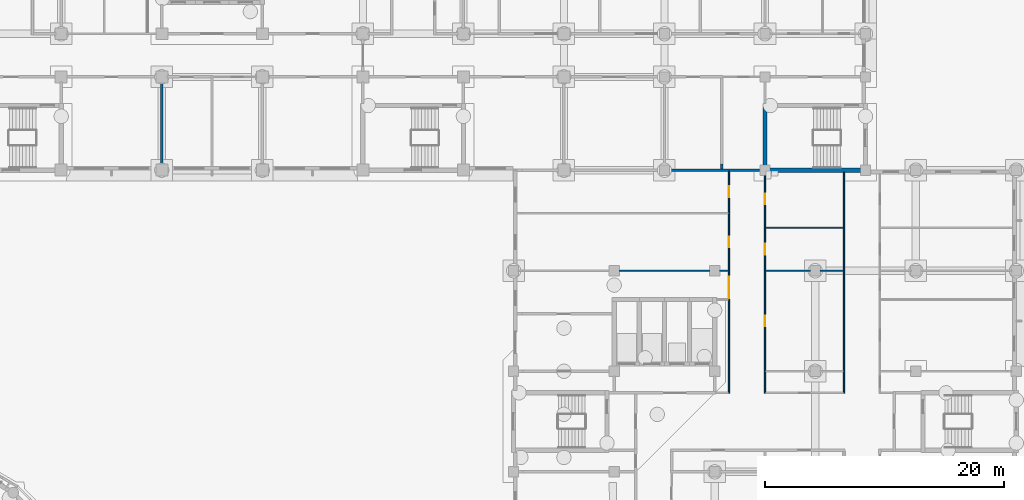
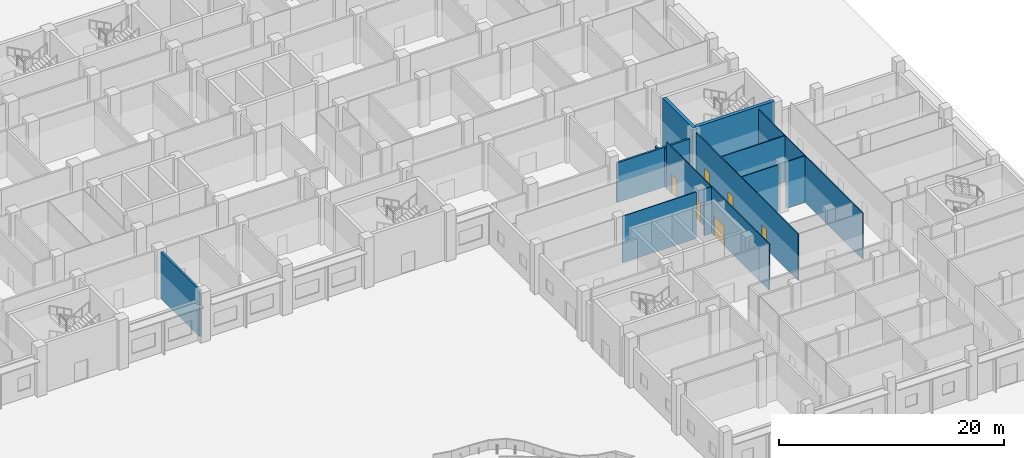
# One storey, part 84 of 146: 14 walls, 6 doors, 6 openings.
"""IFC4 building model written with IfcOpenShell, lengths in metres."""

from ifc_helpers import new_model, si_unit, direction, frame, frame_2d, origin, place, context, subcontext, project, spatial, rectangle, extrude, material, layer, layer_set, type_object, element, fill, save


model = new_model("IFC4")

# Units and contexts
model_context = context("Model", 3, precision=1e-05, world=origin(), true_north=direction((0.0, 1.0)))
body_context = subcontext(model_context, "Body", "Model", "MODEL_VIEW")
ifc_project = project(units=[si_unit("LENGTHUNIT", "METRE"), si_unit("AREAUNIT", "SQUARE_METRE"), si_unit("VOLUMEUNIT", "CUBIC_METRE"), si_unit("PLANEANGLEUNIT", "RADIAN"), si_unit("MASSUNIT", "GRAM", prefix="KILO")], contexts=[model_context])

# Site, building, storey
site_placement = place(None, origin())
site = spatial("IfcSite", under=ifc_project, at=site_placement, CompositionType="ELEMENT")
building_placement = place(site_placement, origin())
building = spatial("IfcBuilding", under=site, at=building_placement, Name="Bougainvillea Quay General Hospital", CompositionType="ELEMENT")
storey_placement = place(building_placement, origin())
storey = spatial("IfcBuildingStorey", under=building, at=storey_placement, Name="L00", CompositionType="ELEMENT", Elevation=0.0)

# Wall
ifc_material_1 = material(Name="Gypsum board partition on steel studs", Category="steel")
ifc_layer_1 = layer(ifc_material_1, 0.10009765625)
ifc_layer_set_1 = layer_set([ifc_layer_1], Name="Gypsum board partition on steel studs")
wall_type_1 = type_object("IfcWallType", Name="Partition 100 Gypsum board partition", PredefinedType="PARTITIONING", material=ifc_layer_set_1)
wall_1_placement = place(storey_placement, frame((181.800048828125, 117.5, 0.0), z_axis=(0.0, 0.0, 1.0), x_axis=(0.0, -1.0, 0.0)))
element("IfcWall", 1, at=wall_1_placement, inside=storey, type_object=wall_type_1, Name="Partition 100 mm", PredefinedType="PARTITIONING", context=body_context, shape_type="SweptSolid", body=[
    extrude(rectangle(XDim=0.35009765625, YDim=0.10009765625, at=frame_2d((0.175048828125, 0.0))), origin(), (0.0, 0.0, 1.0), 4.280029296875),
])

# Wall, openings, doors
wall_2_placement = place(storey_placement, frame((181.800048828125, 117.14990234375, 0.0), z_axis=(0.0, 0.0, 1.0), x_axis=(0.0, -1.0, 0.0)))
wall_2 = element("IfcWall", 2, at=wall_2_placement, inside=storey, type_object=wall_type_1, Name="Partition 100 mm", PredefinedType="PARTITIONING", context=body_context, shape_type="SweptSolid", body=[
    extrude(rectangle(XDim=18.199951171875, YDim=0.10009765625, at=frame_2d((9.10009765625, 0.0))), origin(), (0.0, 0.0, 1.0), 5.050048828125),
])
opening_1_placement = place(wall_2_placement, frame((8.450927734375, 0.0, 0.0)))
opening_1 = element("IfcOpeningElement", 3, at=opening_1_placement, cuts=wall_2, Name="Opening L00.115", PredefinedType="OPENING", context=body_context, shape_type="SweptSolid", body=[
    extrude(rectangle(XDim=1.800048828125, YDim=2.10009765625, at=frame_2d((0.89990234375, 1.050048828125))), frame((0.0, 0.06005859375, 0.0), z_axis=(0.0, -1.0, 0.0), x_axis=(1.0, 0.0, 0.0)), (0.0, 0.0, 1.0), 0.1201171875),
])
opening_2_placement = place(wall_2_placement, frame((5.10205078125, 0.0, 0.0)))
opening_2 = element("IfcOpeningElement", 4, at=opening_2_placement, cuts=wall_2, Name="Opening L00.116", PredefinedType="OPENING", context=body_context, shape_type="SweptSolid", body=[
    extrude(rectangle(XDim=0.89990234375, YDim=2.10009765625, at=frame_2d((0.449951171875, 1.050048828125))), frame((0.0, 0.06005859375, 0.0), z_axis=(0.0, -1.0, 0.0), x_axis=(1.0, 0.0, 0.0)), (0.0, 0.0, 1.0), 0.1201171875),
])
opening_3_placement = place(wall_2_placement, frame((0.90087890625, 0.0, 0.0)))
opening_3 = element("IfcOpeningElement", 5, at=opening_3_placement, cuts=wall_2, Name="Opening L00.117", PredefinedType="OPENING", context=body_context, shape_type="SweptSolid", body=[
    extrude(rectangle(XDim=0.89990234375, YDim=2.10009765625, at=frame_2d((0.449951171875, 1.050048828125))), frame((0.0, 0.06005859375, 0.0), z_axis=(0.0, -1.0, 0.0), x_axis=(1.0, 0.0, 0.0)), (0.0, 0.0, 1.0), 0.1201171875),
])
ifc_material_2 = material(Name="Solid-core timber door leaves in steel frame", Category="steel")
door_type_1 = type_object("IfcDoorType", Name="Double leaf door 1800x2100", OperationType="DOUBLE_DOOR_SINGLE_SWING", PredefinedType="DOOR", material=ifc_material_2)
door_1_placement = place(opening_1_placement, frame((1.800048828125, 0.0, 0.0), z_axis=(0.0, 0.0, 1.0), x_axis=(-1.0, 0.0, 0.0)))
door_1 = element("IfcDoor", 6, at=door_1_placement, inside=storey, type_object=door_type_1, Name="DT08 L00.115", OperationType="DOUBLE_DOOR_SINGLE_SWING", OverallHeight=2.10009765625, OverallWidth=1.800048828125, PredefinedType="DOOR", context=body_context, shape_type="SweptSolid", body=[
    extrude(rectangle(XDim=1.800048828125, YDim=2.10009765625, at=frame_2d((0.89990234375, 1.050048828125))), frame((0.0, 0.02490234375, 0.0), z_axis=(0.0, -1.0, 0.0), x_axis=(1.0, 0.0, 0.0)), (0.0, 0.0, 1.0), 0.050048828125),
])
fill(opening_1, door_1)
ifc_material_3 = material(Name="Solid-core timber door leaf in steel frame", Category="steel")
door_type_2 = type_object("IfcDoorType", Name="Single leaf door 900x2100", OperationType="NOTDEFINED", PredefinedType="DOOR", material=ifc_material_3)
door_2_placement = place(opening_2_placement, frame((0.89990234375, 0.0, 0.0), z_axis=(0.0, 0.0, 1.0), x_axis=(-1.0, 0.0, 0.0)))
door_2 = element("IfcDoor", 7, at=door_2_placement, inside=storey, type_object=door_type_2, Name="DT07 L00.116", OperationType="SINGLE_SWING_RIGHT", OverallHeight=2.10009765625, OverallWidth=0.89990234375, PredefinedType="DOOR", context=body_context, shape_type="SweptSolid", body=[
    extrude(rectangle(XDim=0.89990234375, YDim=2.10009765625, at=frame_2d((0.449951171875, 1.050048828125))), frame((0.0, 0.02490234375, 0.0), z_axis=(0.0, -1.0, 0.0), x_axis=(1.0, 0.0, 0.0)), (0.0, 0.0, 1.0), 0.050048828125),
])
fill(opening_2, door_2)
door_3_placement = place(opening_3_placement, frame((0.89990234375, 0.0, 0.0), z_axis=(0.0, 0.0, 1.0), x_axis=(-1.0, 0.0, 0.0)))
door_3 = element("IfcDoor", 8, at=door_3_placement, inside=storey, type_object=door_type_2, Name="DT07 L00.117", OperationType="SINGLE_SWING_RIGHT", OverallHeight=2.10009765625, OverallWidth=0.89990234375, PredefinedType="DOOR", context=body_context, shape_type="SweptSolid", body=[
    extrude(rectangle(XDim=0.89990234375, YDim=2.10009765625, at=frame_2d((0.449951171875, 1.050048828125))), frame((0.0, 0.02490234375, 0.0), z_axis=(0.0, -1.0, 0.0), x_axis=(1.0, 0.0, 0.0)), (0.0, 0.0, 1.0), 0.050048828125),
])
fill(opening_3, door_3)

wall_3_placement = place(storey_placement, frame((184.800048828125, 117.14990234375, 0.0), z_axis=(0.0, 0.0, 1.0), x_axis=(0.0, -1.0, 0.0)))
wall_3 = element("IfcWall", 9, at=wall_3_placement, inside=storey, type_object=wall_type_1, Name="Partition 100 mm", PredefinedType="PARTITIONING", context=body_context, shape_type="SweptSolid", body=[
    extrude(rectangle(XDim=18.199951171875, YDim=0.10009765625, at=frame_2d((9.10009765625, 0.0))), origin(), (0.0, 0.0, 1.0), 5.050048828125),
])
opening_4_placement = place(wall_3_placement, frame((11.699951171875, 0.0, 0.0)))
opening_4 = element("IfcOpeningElement", 10, at=opening_4_placement, cuts=wall_3, Name="Opening L00.119", PredefinedType="OPENING", context=body_context, shape_type="SweptSolid", body=[
    extrude(rectangle(XDim=0.89990234375, YDim=2.10009765625, at=frame_2d((0.449951171875, 1.050048828125))), frame((0.0, 0.06005859375, 0.0), z_axis=(0.0, -1.0, 0.0), x_axis=(1.0, 0.0, 0.0)), (0.0, 0.0, 1.0), 0.1201171875),
])
opening_5_placement = place(wall_3_placement, frame((5.699951171875, 0.0, 0.0)))
opening_5 = element("IfcOpeningElement", 11, at=opening_5_placement, cuts=wall_3, Name="Opening L00.120", PredefinedType="OPENING", context=body_context, shape_type="SweptSolid", body=[
    extrude(rectangle(XDim=0.89990234375, YDim=2.10009765625, at=frame_2d((0.449951171875, 1.050048828125))), frame((0.0, 0.06005859375, 0.0), z_axis=(0.0, -1.0, 0.0), x_axis=(1.0, 0.0, 0.0)), (0.0, 0.0, 1.0), 0.1201171875),
])
opening_6_placement = place(wall_3_placement, frame((1.5, 0.0, 0.0)))
opening_6 = element("IfcOpeningElement", 12, at=opening_6_placement, cuts=wall_3, Name="Opening L00.121", PredefinedType="OPENING", context=body_context, shape_type="SweptSolid", body=[
    extrude(rectangle(XDim=0.89990234375, YDim=2.10009765625, at=frame_2d((0.449951171875, 1.050048828125))), frame((0.0, 0.06005859375, 0.0), z_axis=(0.0, -1.0, 0.0), x_axis=(1.0, 0.0, 0.0)), (0.0, 0.0, 1.0), 0.1201171875),
])
door_4_placement = place(opening_4_placement, origin())
door_4 = element("IfcDoor", 13, at=door_4_placement, inside=storey, type_object=door_type_2, Name="DT07 L00.119", OperationType="SINGLE_SWING_RIGHT", OverallHeight=2.10009765625, OverallWidth=0.89990234375, PredefinedType="DOOR", context=body_context, shape_type="SweptSolid", body=[
    extrude(rectangle(XDim=0.89990234375, YDim=2.10009765625, at=frame_2d((0.449951171875, 1.050048828125))), frame((0.0, 0.02490234375, 0.0), z_axis=(0.0, -1.0, 0.0), x_axis=(1.0, 0.0, 0.0)), (0.0, 0.0, 1.0), 0.050048828125),
])
fill(opening_4, door_4)
door_5_placement = place(opening_5_placement, origin())
door_5 = element("IfcDoor", 14, at=door_5_placement, inside=storey, type_object=door_type_2, Name="DT07 L00.120", OperationType="SINGLE_SWING_LEFT", OverallHeight=2.10009765625, OverallWidth=0.89990234375, PredefinedType="DOOR", context=body_context, shape_type="SweptSolid", body=[
    extrude(rectangle(XDim=0.89990234375, YDim=2.10009765625, at=frame_2d((0.449951171875, 1.050048828125))), frame((0.0, 0.02490234375, 0.0), z_axis=(0.0, -1.0, 0.0), x_axis=(1.0, 0.0, 0.0)), (0.0, 0.0, 1.0), 0.050048828125),
])
fill(opening_5, door_5)
door_6_placement = place(opening_6_placement, origin())
door_6 = element("IfcDoor", 15, at=door_6_placement, inside=storey, type_object=door_type_2, Name="DT07 L00.121", OperationType="SINGLE_SWING_LEFT", OverallHeight=2.10009765625, OverallWidth=0.89990234375, PredefinedType="DOOR", context=body_context, shape_type="SweptSolid", body=[
    extrude(rectangle(XDim=0.89990234375, YDim=2.10009765625, at=frame_2d((0.449951171875, 1.050048828125))), frame((0.0, 0.02490234375, 0.0), z_axis=(0.0, -1.0, 0.0), x_axis=(1.0, 0.0, 0.0)), (0.0, 0.0, 1.0), 0.050048828125),
])
fill(opening_6, door_6)

# Walls
wall_4_placement = place(storey_placement, frame((191.39990234375, 117.425048828125, 0.0), z_axis=(0.0, 0.0, 1.0), x_axis=(0.0, -1.0, 0.0)))
element("IfcWall", 16, at=wall_4_placement, inside=storey, type_object=wall_type_1, Name="Partition 100 mm", PredefinedType="PARTITIONING", context=body_context, shape_type="SweptSolid", body=[
    extrude(rectangle(XDim=18.47509765625, YDim=0.10009765625, at=frame_2d((9.237548828125, 0.0))), origin(), (0.0, 0.0, 1.0), 5.050048828125),
])
wall_5_placement = place(storey_placement, frame((172.60009765625, 109.197998046875, 0.0), z_axis=(0.0, 0.0, 1.0), x_axis=(1.0, 0.0, 0.0)))
element("IfcWall", 17, at=wall_5_placement, inside=storey, type_object=wall_type_1, Name="Partition 100 mm", PredefinedType="PARTITIONING", context=body_context, shape_type="SweptSolid", body=[
    extrude(rectangle(XDim=7.599853515625, YDim=0.10009765625, at=frame_2d((3.7998046875, 0.0))), origin(), (0.0, 0.0, 1.0), 5.050048828125),
])
wall_6_placement = place(storey_placement, frame((181.0, 109.197998046875, 0.0), z_axis=(0.0, 0.0, 1.0), x_axis=(1.0, 0.0, 0.0)))
element("IfcWall", 18, at=wall_6_placement, inside=storey, type_object=wall_type_1, Name="Partition 100 mm", PredefinedType="PARTITIONING", context=body_context, shape_type="SweptSolid", body=[
    extrude(rectangle(XDim=0.75, YDim=0.10009765625, at=frame_2d((0.375, 0.0))), origin(), (0.0, 0.0, 1.0), 5.050048828125),
])
wall_7_placement = place(storey_placement, frame((184.85009765625, 109.199951171875, 0.0), z_axis=(0.0, 0.0, 1.0), x_axis=(1.0, 0.0, 0.0)))
element("IfcWall", 19, at=wall_7_placement, inside=storey, type_object=wall_type_1, Name="Partition 100 mm", PredefinedType="PARTITIONING", context=body_context, shape_type="SweptSolid", body=[
    extrude(rectangle(XDim=3.75, YDim=0.10009765625, at=frame_2d((1.875, 0.0))), origin(), (0.0, 0.0, 1.0), 5.050048828125),
])
wall_8_placement = place(storey_placement, frame((189.39990234375, 109.199951171875, 0.0), z_axis=(0.0, 0.0, 1.0), x_axis=(1.0, 0.0, 0.0)))
element("IfcWall", 20, at=wall_8_placement, inside=storey, type_object=wall_type_1, Name="Partition 100 mm", PredefinedType="PARTITIONING", context=body_context, shape_type="SweptSolid", body=[
    extrude(rectangle(XDim=1.9501953125, YDim=0.10009765625, at=frame_2d((0.97509765625, 0.0))), origin(), (0.0, 0.0, 1.0), 5.050048828125),
])
wall_9_placement = place(storey_placement, frame((184.85009765625, 112.800048828125, 0.0), z_axis=(0.0, 0.0, 1.0), x_axis=(1.0, 0.0, 0.0)))
element("IfcWall", 21, at=wall_9_placement, inside=storey, type_object=wall_type_1, Name="Partition 100 mm", PredefinedType="PARTITIONING", context=body_context, shape_type="SweptSolid", body=[
    extrude(rectangle(XDim=6.5, YDim=0.10009765625, at=frame_2d((3.25, 0.0))), origin(), (0.0, 0.0, 1.0), 5.050048828125),
])
ifc_material_4 = material(Name="Fire-rated autoclaved aerated block wall, plastered")
ifc_layer_2 = layer(ifc_material_4, 0.199951171875)
ifc_layer_set_2 = layer_set([ifc_layer_2], Name="Fire-rated autoclaved aerated block wall, plastered")
wall_type_2 = type_object("IfcWallType", Name="Partition 200 Fire-rated autoclaved aerated block wall EI 120", PredefinedType="SOLIDWALL", material=ifc_layer_set_2)
wall_10_placement = place(storey_placement, frame((184.35009765625, 117.60009765625, 0.0), z_axis=(0.0, 0.0, 1.0), x_axis=(-1.0, 0.0, 0.0)))
element("IfcWall", 22, at=wall_10_placement, inside=storey, type_object=wall_type_2, Name="Partition 200 mm EI 120", PredefinedType="SOLIDWALL", context=body_context, shape_type="SweptSolid", body=[
    extrude(rectangle(XDim=7.5, YDim=0.199951171875, at=frame_2d((3.75, 0.0))), origin(), (0.0, 0.0, 1.0), 4.280029296875),
])
wall_11_placement = place(storey_placement, frame((134.39990234375, 118.050048828125, 0.0), z_axis=(0.0, 0.0, 1.0), x_axis=(0.0, 1.0, 0.0)))
element("IfcWall", 23, at=wall_11_placement, inside=storey, type_object=wall_type_2, Name="Partition 200 mm EI 120", PredefinedType="SOLIDWALL", context=body_context, shape_type="SweptSolid", body=[
    extrude(rectangle(XDim=6.89990234375, YDim=0.199951171875, at=frame_2d((3.449951171875, 0.0))), origin(), (0.0, 0.0, 1.0), 5.050048828125),
])
ifc_layer_3 = layer(ifc_material_4, 0.199951171875)
ifc_layer_set_3 = layer_set([ifc_layer_3], Name="Fire-rated autoclaved aerated block wall, plastered")
wall_type_3 = type_object("IfcWallType", Name="Partition 200 Fire-rated autoclaved aerated block wall EI 60", PredefinedType="SOLIDWALL", material=ifc_layer_set_3)
wall_12_placement = place(storey_placement, frame((181.199951171875, 117.699951171875, 0.0), z_axis=(0.0, 0.0, 1.0), x_axis=(0.0, 1.0, 0.0)))
element("IfcWall", 24, at=wall_12_placement, inside=storey, type_object=wall_type_3, Name="Partition 200 mm EI 60", PredefinedType="SOLIDWALL", context=body_context, shape_type="SweptSolid", body=[
    extrude(rectangle(XDim=0.400146484375, YDim=0.199951171875, at=frame_2d((0.2001953125, 0.0))), origin(), (0.0, 0.0, 1.0), 4.280029296875),
])
ifc_material_5 = material(Name="Concrete C40", Category="concrete")
ifc_layer_4 = layer(ifc_material_5, 0.35009765625)
ifc_layer_set_4 = layer_set([ifc_layer_4], Name="Concrete C40")
wall_type_4 = type_object("IfcWallType", Name="RC SHEAR WALL 350 C40", PredefinedType="SHEAR", material=ifc_layer_set_4)
wall_13_placement = place(storey_placement, frame((184.800048828125, 117.425048828125, -0.300048828125), z_axis=(0.0, 0.0, 1.0), x_axis=(0.0, 1.0, 0.0)))
element("IfcWall", 25, at=wall_13_placement, inside=storey, type_object=wall_type_4, Name="Shear wall L00", PredefinedType="SHEAR", context=body_context, shape_type="SweptSolid", body=[
    extrude(rectangle(XDim=5.39990234375, YDim=0.35009765625, at=frame_2d((2.699951171875, 0.0))), origin(), (0.0, 0.0, 1.0), 5.699951171875),
])
wall_14_placement = place(storey_placement, frame((184.97509765625, 117.60009765625, -0.300048828125), z_axis=(0.0, 0.0, 1.0), x_axis=(1.0, 0.0, 0.0)))
element("IfcWall", 26, at=wall_14_placement, inside=storey, type_object=wall_type_4, Name="Shear wall L00", PredefinedType="SHEAR", context=body_context, shape_type="SweptSolid", body=[
    extrude(rectangle(XDim=8.0498046875, YDim=0.35009765625, at=frame_2d((4.02490234375, 0.0))), origin(), (0.0, 0.0, 1.0), 5.699951171875),
])

save(model, "model.ifc")
